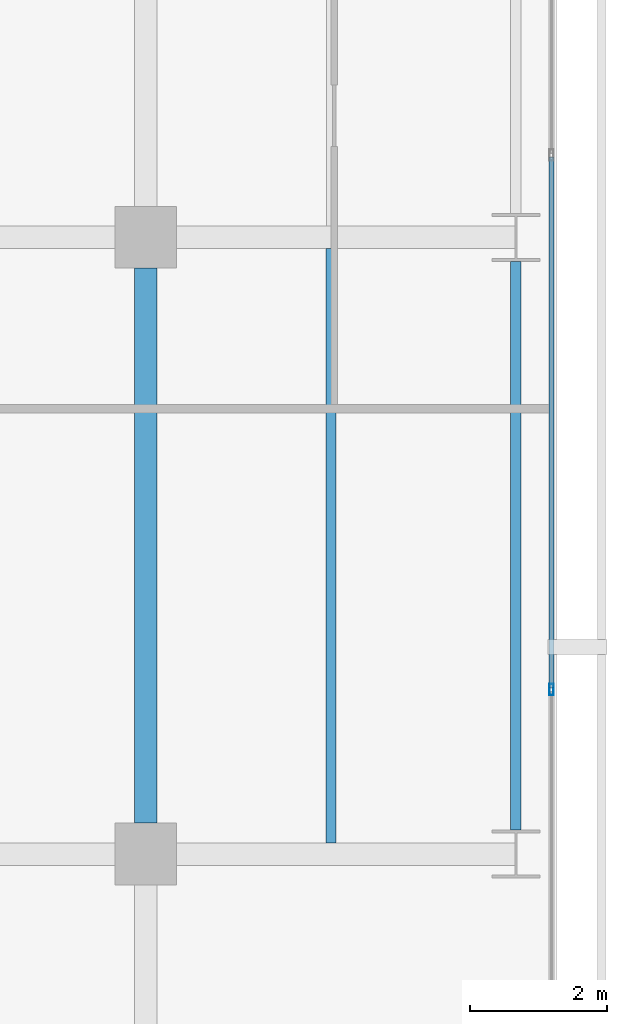
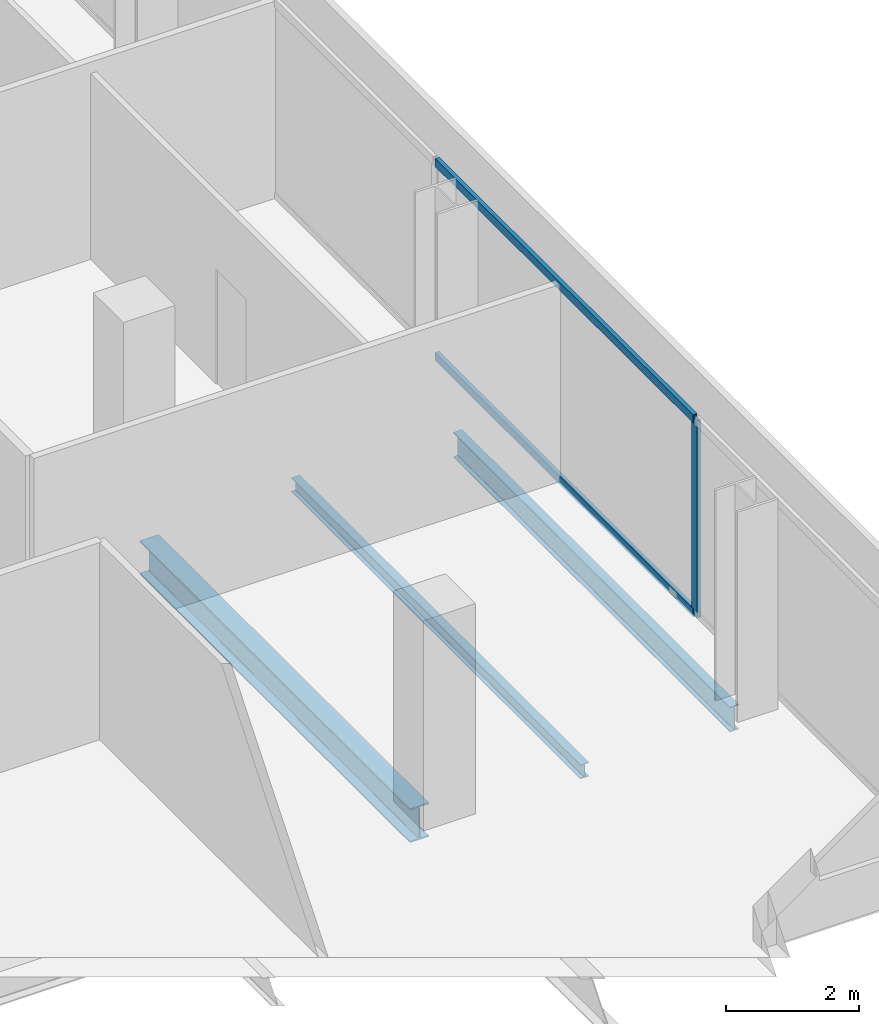
# One storey, part 17 of 39: 3 beams, 3 members, 1 element without a shape of its own.
"""IFC4 building model written with IfcOpenShell, lengths in metres."""

from ifc_helpers import new_model, si_unit, direction, frame, origin, origin_2d, place, context, subcontext, project, spatial, hollow_rectangle, i_section, extrude, material, layer, layer_set, material_profile, profile_set, type_object, element, aggregate, save


model = new_model("IFC4")

# Units and contexts
model_context = context("Model", 3, precision=1e-05, world=origin(), true_north=direction((0.0, 1.0)))
body_context = subcontext(model_context, "Body", "Model", "MODEL_VIEW")
ifc_project = project(units=[si_unit("LENGTHUNIT", "METRE"), si_unit("AREAUNIT", "SQUARE_METRE"), si_unit("VOLUMEUNIT", "CUBIC_METRE"), si_unit("PLANEANGLEUNIT", "RADIAN"), si_unit("MASSUNIT", "GRAM", prefix="KILO")], contexts=[model_context])

# Site, building, storey
site_placement = place(None, origin())
site = spatial("IfcSite", under=ifc_project, at=site_placement, CompositionType="ELEMENT")
building_placement = place(site_placement, origin())
building = spatial("IfcBuilding", under=site, at=building_placement, Name="Maruvema Waterfront Hotel and Observation Tower", CompositionType="ELEMENT")
storey_placement = place(building_placement, frame((0.0, 0.0, 69.300048828125)))
storey = spatial("IfcBuildingStorey", under=building, at=storey_placement, Name="L16", CompositionType="ELEMENT", Elevation=69.300048828125)

# Curtain wall, members
ifc_material_1 = material(Name="Anodised bronze aluminium and solar-control low-E IGU", Category="aluminium")
ifc_layer = layer(ifc_material_1, 0.159912109375, Name="Zone 1 Bronze Inner Thermal Curtain Wall System CW-02")
ifc_layer_set = layer_set([ifc_layer], Name="Anodised bronze aluminium and solar-control low-E IGU")
curtain_wall_type = type_object("IfcCurtainWallType", Name="Zone 1 Bronze Inner Thermal Curtain Wall System CW-02", PredefinedType="USERDEFINED", material=ifc_layer_set)
curtain_wall_placement = place(storey_placement, origin())
curtain_wall = element("IfcCurtainWall", 1, at=curtain_wall_placement, inside=storey, type_object=curtain_wall_type, Name="L16 Curtain Wall CW-L16-E", ObjectType="UNITISED CURTAIN WALL", PredefinedType="USERDEFINED")
ifc_material_2 = material(Name="Anodised architectural bronze aluminium", Category="aluminium")
ifc_material_profile_1 = material_profile(ifc_material_2, hollow_rectangle(XDim=0.070068359375, YDim=0.14990234375, WallThickness=0.00390625, at=origin_2d()), Name="ALU-T70x150")
ifc_profile_set_1 = profile_set([ifc_material_profile_1], Name="Anodised architectural bronze aluminium")
member_type_1 = type_object("IfcMemberType", Name="Curtain Wall Horizontal Transom ALU-T70x150", PredefinedType="USERDEFINED", material=ifc_profile_set_1)
member_1_placement = place(storey_placement, frame((64.719970703125, 11.429931640625, 0.030029296875), z_axis=(0.0, 1.0, 0.0), x_axis=(-1.0, 0.0, 0.0)))
member_1 = element("IfcMember", 2, at=member_1_placement, type_object=member_type_1, Name="CW-02 transom 2.1", ObjectType="TRANSOM", PredefinedType="USERDEFINED", context=body_context, shape_type="SweptSolid", body=[
    extrude(hollow_rectangle(XDim=0.070068359375, YDim=0.14990234375, WallThickness=0.00390625, at=origin_2d()), origin(), (0.0, 0.0, 1.0), 7.739990234375),
])
member_2_placement = place(storey_placement, frame((64.719970703125, 11.429931640625, 3.579833984375), z_axis=(0.0, 1.0, 0.0), x_axis=(-1.0, 0.0, 0.0)))
member_2 = element("IfcMember", 3, at=member_2_placement, type_object=member_type_1, Name="CW-02 transom 2.2", ObjectType="TRANSOM", PredefinedType="USERDEFINED", context=body_context, shape_type="SweptSolid", body=[
    extrude(hollow_rectangle(XDim=0.070068359375, YDim=0.14990234375, WallThickness=0.00390625, at=origin_2d()), origin(), (0.0, 0.0, 1.0), 7.739990234375),
])
ifc_material_3 = material(Name="Anodised architectural bronze aluminium", Category="aluminium")
ifc_material_profile_2 = material_profile(ifc_material_3, hollow_rectangle(XDim=0.06494140625, YDim=0.1650390625, WallThickness=0.00390625, at=origin_2d()), Name="ALU-M65x165")
ifc_profile_set_2 = profile_set([ifc_material_profile_2], Name="Anodised architectural bronze aluminium")
member_type_2 = type_object("IfcMemberType", Name="Curtain Wall Primary Mullion ALU-M65x165", PredefinedType="MULLION", material=ifc_profile_set_2)
member_3_placement = place(storey_placement, frame((64.719970703125, 11.39990234375, 0.0), z_axis=(0.0, 0.0, 1.0), x_axis=(-1.0, 0.0, 0.0)))
member_3 = element("IfcMember", 4, at=member_3_placement, type_object=member_type_2, Name="CW-02 mullion 2", PredefinedType="MULLION", context=body_context, shape_type="SweptSolid", body=[
    extrude(hollow_rectangle(XDim=0.06494140625, YDim=0.1650390625, WallThickness=0.00390625, at=origin_2d()), origin(), (0.0, 0.0, 1.0), 3.60986328125),
])
aggregate(curtain_wall, [member_3, member_1, member_2])

# Beams
ifc_material_4 = material(Name="Steel ASTM A572 Grade 50", Category="steel")
ifc_material_profile_3 = material_profile(ifc_material_4, i_section(OverallWidth=0.153076171875, OverallDepth=0.455078125, WebThickness=0.008056640625, FlangeThickness=0.01318359375, FilletRadius=0.014892578125, at=origin_2d()), Name="W460x60.0")
ifc_profile_set_3 = profile_set([ifc_material_profile_3], Name="Steel ASTM A572 Grade 50")
beam_type_1 = type_object("IfcBeamType", Name="Perimeter Spandrel Beam W460x60.0", PredefinedType="SPANDREL", material=ifc_profile_set_3)
beam_1_placement = place(storey_placement, frame((64.199951171875, 9.35009765625, -0.467529296875), z_axis=(0.0, 1.0, 0.0), x_axis=(-1.0, 0.0, 0.0)))
element("IfcBeam", 5, at=beam_1_placement, inside=storey, type_object=beam_type_1, Name="L16 Floor Girder NS-33", PredefinedType="SPANDREL", context=body_context, shape_type="SweptSolid", body=[
    extrude(i_section(OverallWidth=0.153076171875, OverallDepth=0.455078125, WebThickness=0.008056640625, FlangeThickness=0.01318359375, FilletRadius=0.014892578125, at=origin_2d()), origin(), (0.0, 0.0, 1.0), 8.2998046875),
])
ifc_material_5 = material(Name="Steel ASTM A572 Grade 50", Category="steel")
ifc_material_profile_4 = material_profile(ifc_material_5, i_section(OverallWidth=0.326904296875, OverallDepth=0.6220703125, WebThickness=0.015380859375, FlangeThickness=0.0244140625, FilletRadius=0.01806640625, at=origin_2d()), Name="W610x195.0")
ifc_profile_set_4 = profile_set([ifc_material_profile_4], Name="Steel ASTM A572 Grade 50")
beam_type_2 = type_object("IfcBeamType", Name="Primary Floor Girder W610x195.0", PredefinedType="BEAM", material=ifc_profile_set_4)
beam_2_placement = place(storey_placement, frame((58.800048828125, 9.449951171875, -0.551025390625), z_axis=(0.0, 1.0, 0.0), x_axis=(-1.0, 0.0, 0.0)))
element("IfcBeam", 6, at=beam_2_placement, inside=storey, type_object=beam_type_2, Name="L16 Floor Girder NS-28", PredefinedType="BEAM", context=body_context, shape_type="SweptSolid", body=[
    extrude(i_section(OverallWidth=0.326904296875, OverallDepth=0.6220703125, WebThickness=0.015380859375, FlangeThickness=0.0244140625, FilletRadius=0.01806640625, at=origin_2d()), origin(), (0.0, 0.0, 1.0), 8.10009765625),
])
ifc_material_6 = material(Name="Steel ASTM A572 Grade 50", Category="steel")
ifc_material_profile_5 = material_profile(ifc_material_6, i_section(OverallWidth=0.14599609375, OverallDepth=0.258056640625, WebThickness=0.006103515625, FlangeThickness=0.009033203125, FilletRadius=0.012939453125, at=origin_2d()), Name="W250x32.7")
ifc_profile_set_5 = profile_set([ifc_material_profile_5], Name="Steel ASTM A572 Grade 50")
beam_type_3 = type_object("IfcBeamType", Name="Secondary Floor Joist W250x32.7", PredefinedType="JOIST", material=ifc_profile_set_5)
beam_3_placement = place(storey_placement, frame((61.5, 9.16357421875, -0.369140625), z_axis=(0.0, 1.0, 0.0), x_axis=(-1.0, 0.0, 0.0)))
element("IfcBeam", 7, at=beam_3_placement, inside=storey, type_object=beam_type_3, Name="L16 Secondary Floor Joist JS-21", PredefinedType="JOIST", context=body_context, shape_type="SweptSolid", body=[
    extrude(i_section(OverallWidth=0.14599609375, OverallDepth=0.258056640625, WebThickness=0.006103515625, FlangeThickness=0.009033203125, FilletRadius=0.012939453125, at=origin_2d()), origin(), (0.0, 0.0, 1.0), 8.6728515625),
])

save(model, "model.ifc")
